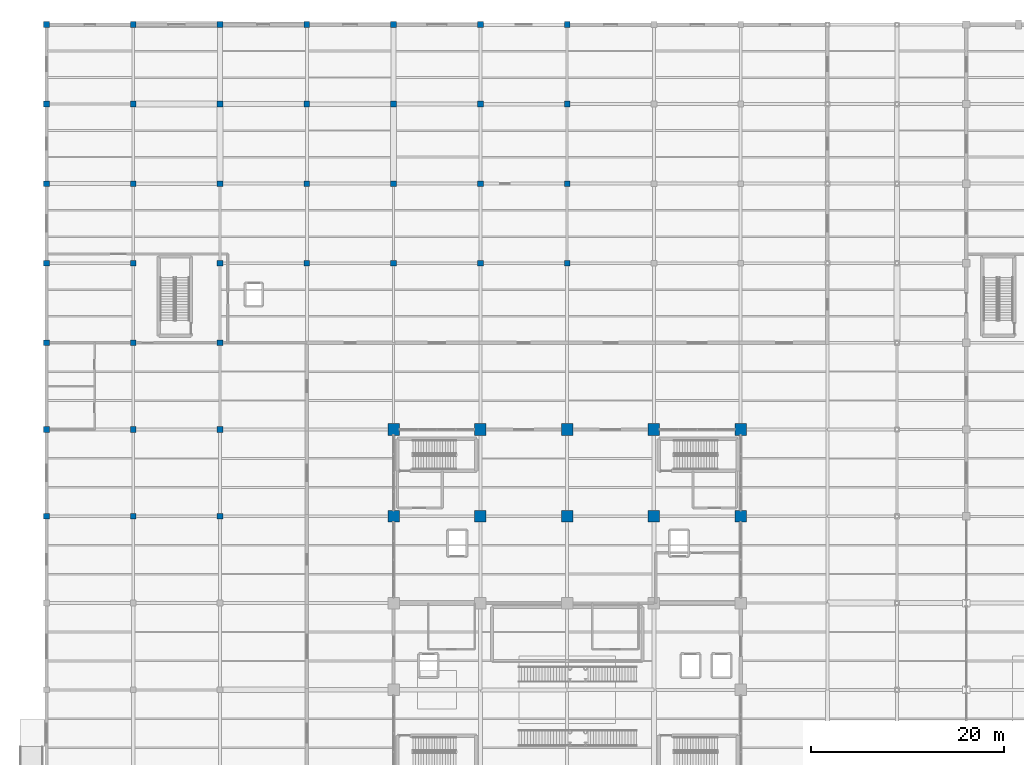
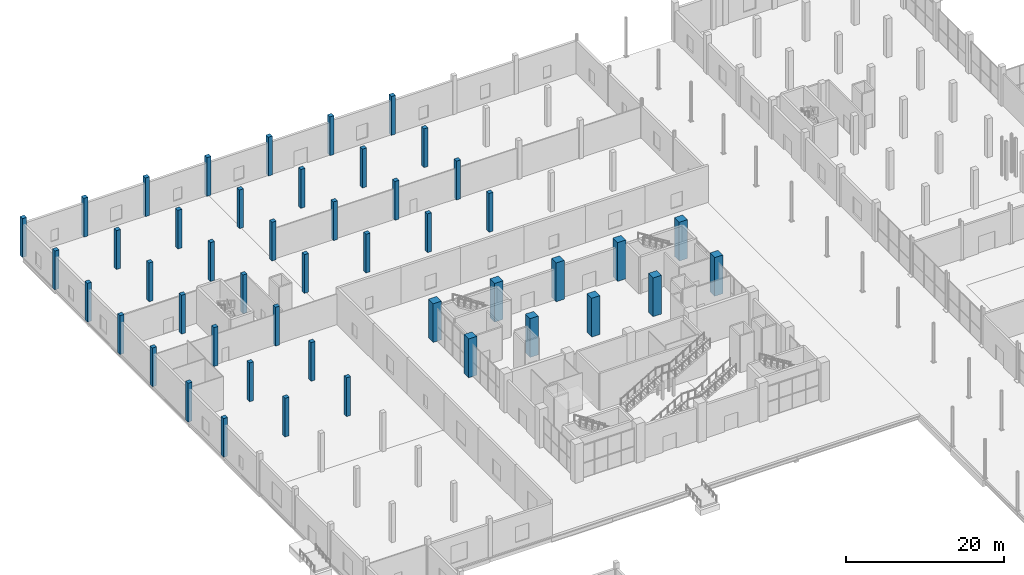
# One storey, part 6 of 144: 47 columns.
"""IFC4 building model written with IfcOpenShell, lengths in metres."""

from ifc_helpers import new_model, si_unit, direction, frame, origin, origin_2d, place, context, subcontext, project, spatial, rectangle, extrude, material, material_profile, profile_set, type_object, element, save


model = new_model("IFC4")

# Units and contexts
model_context = context("Model", 3, precision=1e-05, world=origin(), true_north=direction((0.0, 1.0)))
body_context = subcontext(model_context, "Body", "Model", "MODEL_VIEW")
ifc_project = project(units=[si_unit("LENGTHUNIT", "METRE"), si_unit("AREAUNIT", "SQUARE_METRE"), si_unit("VOLUMEUNIT", "CUBIC_METRE"), si_unit("PLANEANGLEUNIT", "RADIAN"), si_unit("MASSUNIT", "GRAM", prefix="KILO")], contexts=[model_context])

# Site, building, storey
site_placement = place(None, origin())
site = spatial("IfcSite", under=ifc_project, at=site_placement, CompositionType="ELEMENT")
building_placement = place(site_placement, origin())
building = spatial("IfcBuilding", under=site, at=building_placement, Name="Sundgate Opera House", CompositionType="ELEMENT")
storey_placement = place(building_placement, origin())
storey = spatial("IfcBuildingStorey", under=building, at=storey_placement, Name="L00", CompositionType="ELEMENT", Elevation=0.0)

# Columns
ifc_material_1 = material(Name="Concrete C45/55", Category="concrete")
ifc_material_profile_1 = material_profile(ifc_material_1, rectangle(XDim=1.199951171875, YDim=1.199951171875, at=origin_2d()), Name="RC 1200x1200")
ifc_profile_set_1 = profile_set([ifc_material_profile_1], Name="Concrete C45/55")
column_type_1 = type_object("IfcColumnType", Name="CL-RC-1200", PredefinedType="COLUMN", material=ifc_profile_set_1)
for number, where, z_axis, x_axis, name in (
    (1, (36.0, 69.0, 0.0), (0.0, 0.0, 1.0), (1.0, 0.0, 0.0), "L00 Column C0241"),
    (2, (36.0, 78.0, 0.0), (0.0, 0.0, 1.0), (1.0, 0.0, 0.0), "L00 Column C0249"),
    (3, (45.0, 69.0, 0.0), (0.0, 0.0, 1.0), (1.0, 0.0, 0.0), "L00 Column C0301"),
    (4, (45.0, 78.0, 0.0), (0.0, 0.0, 1.0), (1.0, 0.0, 0.0), "L00 Column C0309"),
    (5, (54.0, 69.0, 0.0), (0.0, 0.0, 1.0), (1.0, 0.0, 0.0), "L00 Column C0361"),
    (6, (54.0, 78.0, 0.0), (0.0, 0.0, 1.0), (1.0, 0.0, 0.0), "L00 Column C0364"),
    (7, (63.0, 69.0, 0.0), (0.0, 0.0, 1.0), (1.0, 0.0, 0.0), "L00 Column C0417"),
    (8, (63.0, 78.0, 0.0), (0.0, 0.0, 1.0), (1.0, 0.0, 0.0), "L00 Column C0425"),
    (9, (72.0, 69.0, 0.0), (0.0, 0.0, 1.0), (1.0, 0.0, 0.0), "L00 Column C0484"),
    (10, (72.0, 78.0, 0.0), (0.0, 0.0, 1.0), (1.0, 0.0, 0.0), "L00 Column C0492"),
):
    element("IfcColumn", number, at=place(storey_placement, frame(where, z_axis=z_axis, x_axis=x_axis)), inside=storey, type_object=column_type_1, Name=name, PredefinedType="COLUMN", context=body_context, shape_type="SweptSolid", body=[
        extrude(rectangle(XDim=1.199951171875, YDim=1.199951171875, at=origin_2d()), origin(), (0.0, 0.0, 1.0), 6.0),
    ])
ifc_material_2 = material(Name="Concrete C35/45", Category="concrete")
ifc_material_profile_2 = material_profile(ifc_material_2, rectangle(XDim=0.60009765625, YDim=0.60009765625, at=origin_2d()), Name="RC 600x600")
ifc_profile_set_2 = profile_set([ifc_material_profile_2], Name="Concrete C35/45")
column_type_2 = type_object("IfcColumnType", Name="CL-RC-600", PredefinedType="COLUMN", material=ifc_profile_set_2)
for number, where, z_axis, x_axis, name in (
    (11, (0.0, 69.0, 0.0), (0.0, 0.0, 1.0), (1.0, 0.0, 0.0), "L00 Column C0026"),
    (12, (0.0, 78.0, 0.0), (0.0, 0.0, 1.0), (1.0, 0.0, 0.0), "L00 Column C0028"),
    (13, (0.0, 87.0, 0.0), (0.0, 0.0, 1.0), (1.0, 0.0, 0.0), "L00 Column C0030"),
    (14, (0.0, 95.25, 0.0), (0.0, 0.0, 1.0), (1.0, 0.0, 0.0), "L00 Column C0034"),
    (15, (0.0, 103.5, 0.0), (0.0, 0.0, 1.0), (1.0, 0.0, 0.0), "L00 Column C0038"),
    (16, (0.0, 111.75, 0.0), (0.0, 0.0, 1.0), (1.0, 0.0, 0.0), "L00 Column C0042"),
    (17, (0.0, 120.0, 0.0), (0.0, 0.0, 1.0), (1.0, 0.0, 0.0), "L00 Column C0046"),
    (18, (9.0, 69.0, 0.0), (0.0, 0.0, 1.0), (1.0, 0.0, 0.0), "L00 Column C0074"),
    (19, (9.0, 78.0, 0.0), (0.0, 0.0, 1.0), (1.0, 0.0, 0.0), "L00 Column C0076"),
    (20, (9.0, 87.0, 0.0), (0.0, 0.0, 1.0), (1.0, 0.0, 0.0), "L00 Column C0078"),
    (21, (9.0, 95.25, 0.0), (0.0, 0.0, 1.0), (1.0, 0.0, 0.0), "L00 Column C0083"),
    (22, (9.0, 103.5, 0.0), (0.0, 0.0, 1.0), (1.0, 0.0, 0.0), "L00 Column C0088"),
    (23, (9.0, 111.75, 0.0), (0.0, 0.0, 1.0), (1.0, 0.0, 0.0), "L00 Column C0093"),
    (24, (9.0, 120.0, 0.0), (0.0, 0.0, 1.0), (1.0, 0.0, 0.0), "L00 Column C0098"),
    (25, (18.0, 69.0, 0.0), (0.0, 0.0, 1.0), (1.0, 0.0, 0.0), "L00 Column C0123"),
    (26, (18.0, 78.0, 0.0), (0.0, 0.0, 1.0), (1.0, 0.0, 0.0), "L00 Column C0125"),
    (27, (18.0, 87.0, 0.0), (0.0, 0.0, 1.0), (1.0, 0.0, 0.0), "L00 Column C0127"),
    (28, (18.0, 95.25, 0.0), (0.0, 0.0, 1.0), (1.0, 0.0, 0.0), "L00 Column C0132"),
    (29, (18.0, 103.5, 0.0), (0.0, 0.0, 1.0), (1.0, 0.0, 0.0), "L00 Column C0137"),
    (30, (18.0, 111.75, 0.0), (0.0, 0.0, 1.0), (1.0, 0.0, 0.0), "L00 Column C0142"),
    (31, (18.0, 120.0, 0.0), (0.0, 0.0, 1.0), (1.0, 0.0, 0.0), "L00 Column C0147"),
    (32, (27.0, 95.25, 0.0), (0.0, 0.0, 1.0), (1.0, 0.0, 0.0), "L00 Column C0198"),
    (33, (27.0, 103.5, 0.0), (0.0, 0.0, 1.0), (1.0, 0.0, 0.0), "L00 Column C0203"),
    (34, (27.0, 111.75, 0.0), (0.0, 0.0, 1.0), (1.0, 0.0, 0.0), "L00 Column C0208"),
    (35, (27.0, 120.0, 0.0), (0.0, 0.0, 1.0), (1.0, 0.0, 0.0), "L00 Column C0213"),
    (36, (36.0, 95.25, 0.0), (0.0, 0.0, 1.0), (1.0, 0.0, 0.0), "L00 Column C0263"),
    (37, (36.0, 103.5, 0.0), (0.0, 0.0, 1.0), (1.0, 0.0, 0.0), "L00 Column C0268"),
    (38, (36.0, 111.75, 0.0), (0.0, 0.0, 1.0), (1.0, 0.0, 0.0), "L00 Column C0273"),
    (39, (36.0, 120.0, 0.0), (0.0, 0.0, 1.0), (1.0, 0.0, 0.0), "L00 Column C0278"),
    (40, (45.0, 95.25, 0.0), (0.0, 0.0, 1.0), (1.0, 0.0, 0.0), "L00 Column C0323"),
    (41, (45.0, 103.5, 0.0), (0.0, 0.0, 1.0), (1.0, 0.0, 0.0), "L00 Column C0328"),
    (42, (45.0, 111.75, 0.0), (0.0, 0.0, 1.0), (1.0, 0.0, 0.0), "L00 Column C0333"),
    (43, (45.0, 120.0, 0.0), (0.0, 0.0, 1.0), (1.0, 0.0, 0.0), "L00 Column C0338"),
    (44, (54.0, 95.25, 0.0), (0.0, 0.0, 1.0), (1.0, 0.0, 0.0), "L00 Column C0378"),
    (45, (54.0, 103.5, 0.0), (0.0, 0.0, 1.0), (1.0, 0.0, 0.0), "L00 Column C0383"),
    (46, (54.0, 111.75, 0.0), (0.0, 0.0, 1.0), (1.0, 0.0, 0.0), "L00 Column C0388"),
    (47, (54.0, 120.0, 0.0), (0.0, 0.0, 1.0), (1.0, 0.0, 0.0), "L00 Column C0393"),
):
    element("IfcColumn", number, at=place(storey_placement, frame(where, z_axis=z_axis, x_axis=x_axis)), inside=storey, type_object=column_type_2, Name=name, PredefinedType="COLUMN", context=body_context, shape_type="SweptSolid", body=[
        extrude(rectangle(XDim=0.60009765625, YDim=0.60009765625, at=origin_2d()), origin(), (0.0, 0.0, 1.0), 6.0),
    ])

save(model, "model.ifc")
